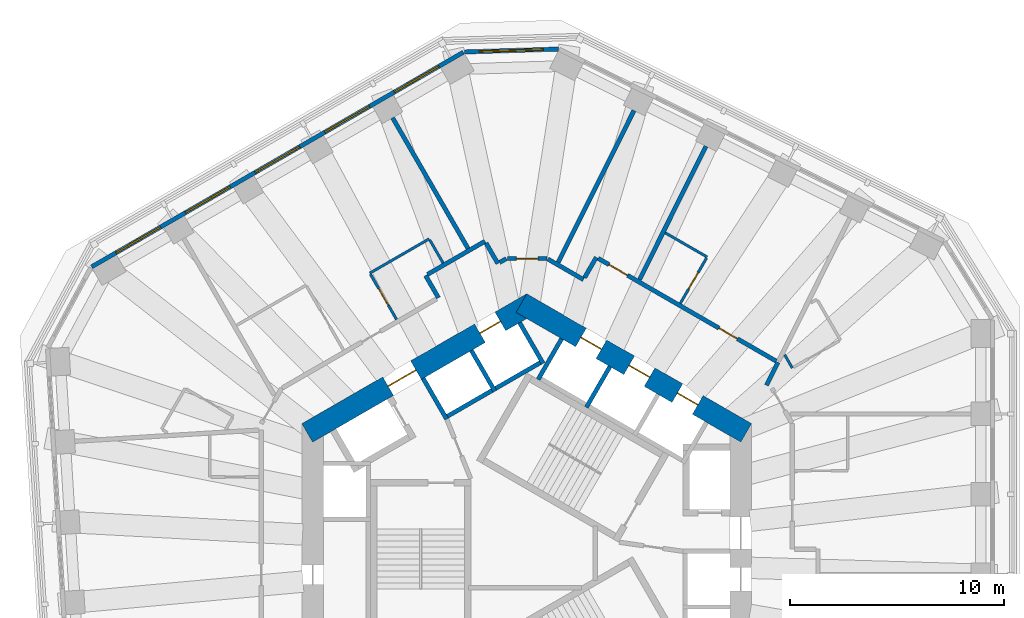
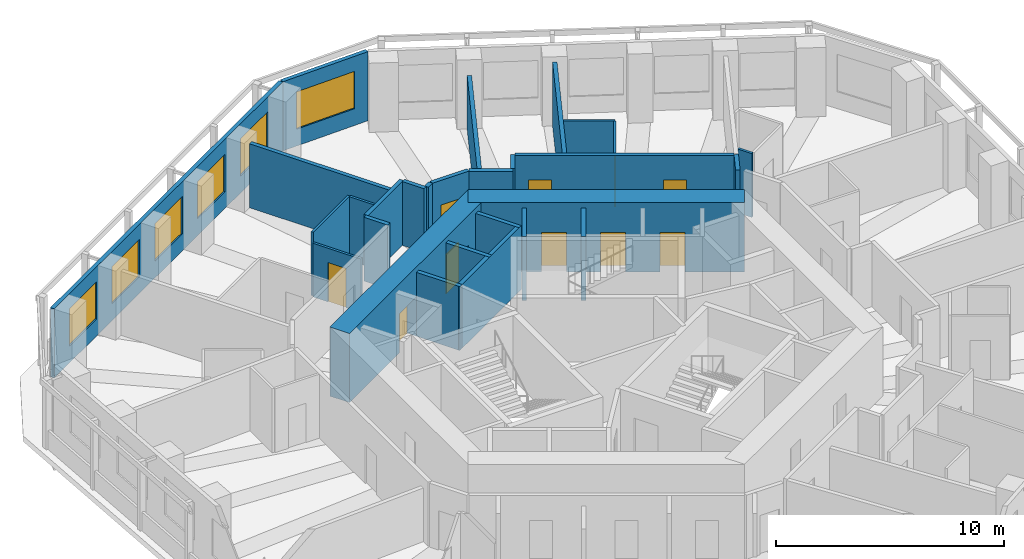
# One storey, part 8 of 12: 28 walls, 10 doors, 6 windows, 16 openings.
"""IFC4 building model written with IfcOpenShell, lengths in metres."""

import ifcopenshell
import ifcopenshell.guid

model = None  # the IFC model being written
_history = None  # IfcOwnerHistory: only IFC2X3 demands one
_inside = {}  # id of a spatial element -> (the spatial element, [elements in it])
_under = {}  # id of a project, library or spatial element -> (it, [spatial elements below it])
_declared = {}  # id of a project -> (the project, [libraries it declares])
_typed = {}  # id of a type object -> (the type object, [elements of that type])
_made_of = {}  # id of a material, layer set ... -> (it, [elements and type objects made of it])


def new_model(schema):
    """Start an empty IFC model of exactly this schema.

    Asked for "IFC4X3", IfcOpenShell would pick the latest addendum, in which some entities
    have other attributes; the version numbers below select the first issue.
    IFC2X3 requires an IfcOwnerHistory on every rooted entity: one is made here for all.
    """
    global model, _history
    if schema == "IFC4X3":
        model = ifcopenshell.file(schema_version=(4, 3, 0, 0))
    else:
        model = ifcopenshell.file(schema=schema)
    _inside.clear()
    _under.clear()
    _declared.clear()
    _typed.clear()
    _made_of.clear()
    _history = None
    if model.schema == "IFC2X3":
        org = make("IfcOrganization", Name="unknown")
        user = make(
            "IfcPersonAndOrganization",
            ThePerson=make("IfcPerson", FamilyName="unknown"),
            TheOrganization=org,
        )
        app = make(
            "IfcApplication",
            ApplicationDeveloper=org,
            Version="unknown",
            ApplicationFullName="unknown",
            ApplicationIdentifier="unknown",
        )
        _history = make(
            "IfcOwnerHistory",
            OwningUser=user,
            OwningApplication=app,
            ChangeAction="ADDED",
            CreationDate=0,
        )
    return model


def make(cls, **values):
    """One entity of the class cls with the attributes given. An attribute that is None is left unset."""
    return model.create_entity(
        cls, **{name: value for name, value in values.items() if value is not None}
    )


def rooted(cls, **values):
    """An entity with a GlobalId (a new one), such as an element, a storey or a relation."""
    return make(cls, GlobalId=ifcopenshell.guid.new(), OwnerHistory=_history, **values)


def si_unit(unit_type, name, prefix=None):
    """IfcSIUnit, for example si_unit("LENGTHUNIT", "METRE", prefix="MILLI")."""
    return make("IfcSIUnit", UnitType=unit_type, Prefix=prefix, Name=name)


def assignment(units):
    """IfcUnitAssignment: the units of a project."""
    return None if units is None else make("IfcUnitAssignment", Units=units)


def point(xyz):
    """IfcCartesianPoint."""
    return None if xyz is None else make("IfcCartesianPoint", Coordinates=xyz)


def direction(xyz):
    """IfcDirection."""
    return None if xyz is None else make("IfcDirection", DirectionRatios=xyz)


def frame(location, z_axis=None, x_axis=None):
    """IfcAxis2Placement3D, a coordinate frame: its origin and axes. An axis left out is left unset."""
    return make(
        "IfcAxis2Placement3D",
        Location=point(location),
        Axis=direction(z_axis),
        RefDirection=direction(x_axis),
    )


def frame_2d(location, x_axis=None):
    """IfcAxis2Placement2D, a coordinate frame in the plane: its origin and x axis."""
    return make(
        "IfcAxis2Placement2D", Location=point(location), RefDirection=direction(x_axis)
    )


def origin():
    """The frame at (0, 0, 0) with its axes left unset."""
    return frame((0.0, 0.0, 0.0))


def place(relative_to, where):
    """IfcLocalPlacement: puts the frame where relative to a parent placement (None: the world)."""
    return make(
        "IfcLocalPlacement", PlacementRelTo=relative_to, RelativePlacement=where
    )


def context(
    kind, dimensions, precision=None, world=None, true_north=None, identifier=None
):
    """IfcGeometricRepresentationContext, for example the 3D "Model" context."""
    return make(
        "IfcGeometricRepresentationContext",
        ContextIdentifier=identifier,
        ContextType=kind,
        CoordinateSpaceDimension=dimensions,
        Precision=precision,
        WorldCoordinateSystem=world,
        TrueNorth=true_north,
    )


def subcontext(parent, identifier, kind, view, scale=None):
    """IfcGeometricRepresentationSubContext, for example "Body" below "Model"."""
    return make(
        "IfcGeometricRepresentationSubContext",
        ContextIdentifier=identifier,
        ContextType=kind,
        ParentContext=parent,
        TargetScale=scale,
        TargetView=view,
    )


def project(units=None, contexts=None):
    """IfcProject with its units and contexts."""
    return rooted(
        "IfcProject",
        Name="project",
        RepresentationContexts=contexts,
        UnitsInContext=assignment(units),
    )


def spatial(cls, under=None, at=None, **own):
    """A site, building, storey or space (cls), placed at a placement, below another one or the project."""
    s = rooted(cls, ObjectPlacement=at, **own)
    if under is not None:
        _under.setdefault(under.id(), (under, []))[1].append(s)
    return s


def profile(cls, at=None, kind="AREA", **sizes):
    """A parametric profile (cls). Its sizes go by their IFC names, for example OverallWidth=200.0."""
    return make(cls, ProfileType=kind, Position=at, **sizes)


def rectangle(**sizes):
    """IfcRectangleProfileDef."""
    return profile("IfcRectangleProfileDef", **sizes)


def extrude(swept, where, along, depth):
    """IfcExtrudedAreaSolid: the profile swept, set in the frame where, extruded along a direction by depth."""
    return make(
        "IfcExtrudedAreaSolid",
        SweptArea=swept,
        Position=where,
        ExtrudedDirection=direction(along),
        Depth=depth,
    )


def shape(context_of_items, identifier, shape_type, items):
    """IfcShapeRepresentation: the items that make up one representation, for example the "Body"."""
    return make(
        "IfcShapeRepresentation",
        ContextOfItems=context_of_items,
        RepresentationIdentifier=identifier,
        RepresentationType=shape_type,
        Items=items,
    )


def material(Name=None, Category=None):
    """IfcMaterial."""
    return make("IfcMaterial", Name=Name, Category=Category)


def layer(
    of_material, thickness, ventilated=None, Name=None, Category=None, Priority=None
):
    """IfcMaterialLayer: one layer of a wall or slab, of a material (None: an air gap)."""
    return make(
        "IfcMaterialLayer",
        Material=of_material,
        LayerThickness=thickness,
        IsVentilated=ventilated,
        Name=Name,
        Category=Category,
        Priority=Priority,
    )


def layer_set(layers, Name=None):
    """IfcMaterialLayerSet."""
    return make("IfcMaterialLayerSet", MaterialLayers=layers, LayerSetName=Name)


def made_of(thing, what):
    """Note that an element or type object is made of a material, layer set ...; save() writes the relation."""
    if what is not None:
        _made_of.setdefault(what.id(), (what, []))[1].append(thing)
    return thing


def type_object(cls, material=None, **own):
    """A type object (cls), such as IfcWallType, which elements share."""
    return made_of(rooted(cls, **own), material)


def element(
    cls,
    number,
    at=None,
    inside=None,
    cuts=None,
    type_object=None,
    material=None,
    context=None,
    identifier="Body",
    shape_type=None,
    held_by="IfcProductDefinitionShape",
    body=None,
    shapes=None,
    **own,
):
    """One element of the class cls, such as IfcWall. Its Tag is "e" and its number.

    at: its placement. inside: the storey or other place that contains it. cuts: it is an
    opening in that element (IfcRelVoidsElement). A single representation is given by context,
    identifier, shape_type and body (its items); several are given by shapes. held_by: the class
    of the entity that holds the representations. save() writes the other relations.
    """
    e = rooted(cls, Tag="e%d" % number, ObjectPlacement=at, **own)
    if body is not None:
        shapes = [shape(context, identifier, shape_type, body)]
    if shapes is not None:
        e.Representation = make(held_by, Representations=shapes)
    if inside is not None:
        _inside.setdefault(inside.id(), (inside, []))[1].append(e)
    if cuts is not None:
        rooted(
            "IfcRelVoidsElement", RelatingBuildingElement=cuts, RelatedOpeningElement=e
        )
    if type_object is not None:
        _typed.setdefault(type_object.id(), (type_object, []))[1].append(e)
    return made_of(e, material)


def fill(opening, filler):
    """IfcRelFillsElement: the door or window that sits in an opening."""
    return rooted(
        "IfcRelFillsElement",
        RelatingOpeningElement=opening,
        RelatedBuildingElement=filler,
    )


def aggregate(whole, parts):
    """IfcRelAggregates: a whole, such as a stair, and the parts it consists of."""
    return rooted("IfcRelAggregates", RelatingObject=whole, RelatedObjects=parts)


def save(model, path):
    """Write the relations noted so far, then the file.

    IfcRelAggregates (storeys below a building ...), IfcRelContainedInSpatialStructure (elements
    in a storey), IfcRelDefinesByType, IfcRelAssociatesMaterial and IfcRelDeclares: one each for
    every whole, place, type object, material and project.
    """
    for whole, parts in _under.values():
        aggregate(whole, parts)
    for where, things in _inside.values():
        rooted(
            "IfcRelContainedInSpatialStructure",
            RelatedElements=things,
            RelatingStructure=where,
        )
    for kind, things in _typed.values():
        rooted("IfcRelDefinesByType", RelatedObjects=things, RelatingType=kind)
    for what, things in _made_of.values():
        rooted("IfcRelAssociatesMaterial", RelatedObjects=things, RelatingMaterial=what)
    for by, libraries in _declared.values():
        rooted("IfcRelDeclares", RelatingContext=by, RelatedDefinitions=libraries)
    model.write(path)


model = new_model("IFC4")

# Units and contexts
model_context = context("Model", 3, precision=1e-05, world=origin(), true_north=direction((0.0, 1.0)))
body_context = subcontext(model_context, "Body", "Model", "MODEL_VIEW")
ifc_project = project(units=[si_unit("LENGTHUNIT", "METRE"), si_unit("AREAUNIT", "SQUARE_METRE"), si_unit("VOLUMEUNIT", "CUBIC_METRE"), si_unit("PLANEANGLEUNIT", "RADIAN"), si_unit("MASSUNIT", "GRAM", prefix="KILO")], contexts=[model_context])

# Site, building, storey
site_placement = place(None, origin())
site = spatial("IfcSite", under=ifc_project, at=site_placement, CompositionType="ELEMENT")
building_placement = place(site_placement, origin())
building = spatial("IfcBuilding", under=site, at=building_placement, Name="Vanh Sen Convention Tower", CompositionType="ELEMENT")
storey_placement = place(building_placement, frame((0.0, 0.0, 124.39990234375)))
storey = spatial("IfcBuildingStorey", under=building, at=storey_placement, Name="L30", CompositionType="ELEMENT", Elevation=124.39990234375)

# Wall
ifc_material_1 = material(Name="Moisture-resistant gypsum board on steel studs", Category="steel")
ifc_layer_1 = layer(ifc_material_1, 0.1201171875)
ifc_layer_set_1 = layer_set([ifc_layer_1], Name="Moisture-resistant gypsum board on steel studs")
wall_type_1 = type_object("IfcWallType", Name="Bathroom partition 120", PredefinedType="PARTITIONING", material=ifc_layer_set_1)
wall_1_placement = place(storey_placement, frame((-7.32763671875, 13.08984375, 0.0), z_axis=(0.0, 0.0, 1.0), x_axis=(0.866008981251, 0.500028443584, 0.0)))
element("IfcWall", 1, at=wall_1_placement, inside=storey, type_object=wall_type_1, Name="Bathroom partition 120", PredefinedType="PARTITIONING", context=body_context, shape_type="SweptSolid", body=[
    extrude(rectangle(XDim=3.199951171875, YDim=0.1201171875, at=frame_2d((1.60009765625, 0.0))), origin(), (0.0, 0.0, 1.0), 3.420166015625),
])

# Wall, opening, door
wall_2_placement = place(storey_placement, frame((-6.07763671875, 10.9248046875, 0.0), z_axis=(0.0, 0.0, 1.0), x_axis=(-0.500002508028, 0.866023955769, 0.0)))
wall_2 = element("IfcWall", 2, at=wall_2_placement, inside=storey, type_object=wall_type_1, Name="Bathroom partition 120", PredefinedType="PARTITIONING", context=body_context, shape_type="SweptSolid", body=[
    extrude(rectangle(XDim=2.43994140625, YDim=0.1201171875, at=frame_2d((1.219970703125, 0.0))), origin(), (0.0, 0.0, 1.0), 2.8701171875),
])
opening_1_placement = place(wall_2_placement, frame((0.77001953125, 0.0, 0.0)))
opening_1 = element("IfcOpeningElement", 3, at=opening_1_placement, cuts=wall_2, Name="Opening D30111", PredefinedType="OPENING", context=body_context, shape_type="SweptSolid", body=[
    extrude(rectangle(XDim=0.89990234375, YDim=2.10009765625, at=frame_2d((0.449951171875, 1.050048828125))), frame((0.0, 0.070068359375, 0.0), z_axis=(0.0, -1.0, 0.0), x_axis=(1.0, 0.0, 0.0)), (0.0, 0.0, 1.0), 0.14013671875),
])
ifc_material_2 = material(Name="Laminate door in steel frame", Category="steel")
door_type_1 = type_object("IfcDoorType", Name="Room internal door 900", OperationType="SINGLE_SWING_LEFT", PredefinedType="DOOR", material=ifc_material_2)
door_1_placement = place(opening_1_placement, origin())
door_1 = element("IfcDoor", 4, at=door_1_placement, inside=storey, type_object=door_type_1, Name="Internal room door D30111", OperationType="SINGLE_SWING_LEFT", OverallHeight=2.10009765625, OverallWidth=0.89990234375, PredefinedType="DOOR", context=body_context, shape_type="SweptSolid", body=[
    extrude(rectangle(XDim=0.89990234375, YDim=2.10009765625, at=frame_2d((0.449951171875, 1.050048828125))), frame((0.0, 0.02490234375, 0.0), z_axis=(0.0, -1.0, 0.0), x_axis=(1.0, 0.0, 0.0)), (0.0, 0.0, 1.0), 0.050048828125),
])
fill(opening_1, door_1)

# Walls
wall_3_placement = place(storey_placement, frame((-4.5263671875, 14.637939453125, 0.0), z_axis=(0.0, 0.0, 1.0), x_axis=(0.499932836684, -0.86606417707, 0.0)))
element("IfcWall", 5, at=wall_3_placement, inside=storey, type_object=wall_type_1, Name="Bathroom partition 120", PredefinedType="PARTITIONING", context=body_context, shape_type="SweptSolid", body=[
    extrude(rectangle(XDim=1.239013671875, YDim=0.1201171875, at=frame_2d((0.61962890625, 0.0))), origin(), (0.0, 0.0, 1.0), 3.420166015625),
])
wall_4_placement = place(storey_placement, frame((6.467529296875, 14.973388671875, 0.0), z_axis=(0.0, 0.0, 1.0), x_axis=(0.865993004593, -0.500056112848, 0.0)))
element("IfcWall", 6, at=wall_4_placement, inside=storey, type_object=wall_type_1, Name="Bathroom partition 120", PredefinedType="PARTITIONING", context=body_context, shape_type="SweptSolid", body=[
    extrude(rectangle(XDim=2.259033203125, YDim=0.1201171875, at=frame_2d((1.12939453125, 0.0))), origin(), (0.0, 0.0, 1.0), 3.420166015625),
])

# Wall, opening, door
wall_5_placement = place(storey_placement, frame((8.393798828125, 13.791748046875, 0.0), z_axis=(0.0, 0.0, 1.0), x_axis=(-0.500002508028, -0.866023955769, 0.0)))
wall_5 = element("IfcWall", 7, at=wall_5_placement, inside=storey, type_object=wall_type_1, Name="Bathroom partition 120", PredefinedType="PARTITIONING", context=body_context, shape_type="SweptSolid", body=[
    extrude(rectangle(XDim=2.43994140625, YDim=0.1201171875, at=frame_2d((1.219970703125, 0.0))), origin(), (0.0, 0.0, 1.0), 3.420166015625),
])
opening_2_placement = place(wall_5_placement, frame((0.77001953125, 0.0, 0.0)))
opening_2 = element("IfcOpeningElement", 8, at=opening_2_placement, cuts=wall_5, Name="Opening D30107", PredefinedType="OPENING", context=body_context, shape_type="SweptSolid", body=[
    extrude(rectangle(XDim=0.89990234375, YDim=2.10009765625, at=frame_2d((0.449951171875, 1.050048828125))), frame((0.0, 0.070068359375, 0.0), z_axis=(0.0, -1.0, 0.0), x_axis=(1.0, 0.0, 0.0)), (0.0, 0.0, 1.0), 0.14013671875),
])
door_2_placement = place(opening_2_placement, origin())
door_2 = element("IfcDoor", 9, at=door_2_placement, inside=storey, type_object=door_type_1, Name="Internal room door D30107", OperationType="SINGLE_SWING_LEFT", OverallHeight=2.10009765625, OverallWidth=0.89990234375, PredefinedType="DOOR", context=body_context, shape_type="SweptSolid", body=[
    extrude(rectangle(XDim=0.89990234375, YDim=2.10009765625, at=frame_2d((0.449951171875, 1.050048828125))), frame((0.0, 0.02490234375, 0.0), z_axis=(0.0, -1.0, 0.0), x_axis=(1.0, 0.0, 0.0)), (0.0, 0.0, 1.0), 0.050048828125),
])
fill(opening_2, door_2)

# Wall
wall_6_placement = place(storey_placement, frame((12.40087890625, 8.66064453125, 0.0), z_axis=(0.0, 0.0, 1.0), x_axis=(-0.499831418649, 0.866122712398, 0.0)))
element("IfcWall", 10, at=wall_6_placement, inside=storey, type_object=wall_type_1, Name="Bathroom partition 120", PredefinedType="PARTITIONING", context=body_context, shape_type="SweptSolid", body=[
    extrude(rectangle(XDim=0.711181640625, YDim=0.1201171875, at=frame_2d((0.35546875, 0.0))), origin(), (0.0, 0.0, 1.0), 3.420166015625),
])

# Wall, openings, doors
ifc_material_3 = material(Name="Concrete C80/95", Category="concrete")
ifc_layer_2 = layer(ifc_material_3, 1.0)
ifc_layer_set_2 = layer_set([ifc_layer_2], Name="Concrete C80/95")
wall_type_2 = type_object("IfcWallType", Name="Core outer wall 1000 C80/95", PredefinedType="SHEAR", material=ifc_layer_set_2)
wall_7_placement = place(storey_placement, frame((10.25, 5.629150390625, 0.0), z_axis=(0.0, 0.0, 1.0), x_axis=(-0.866022616891, 0.50000482701, 0.0)))
wall_7 = element("IfcWall", 11, at=wall_7_placement, inside=storey, type_object=wall_type_2, Name="Core wall face NE L30", PredefinedType="SHEAR", context=body_context, shape_type="SweptSolid", body=[
    extrude(rectangle(XDim=12.12451171875, YDim=1.0, at=frame_2d((6.062255859375, 0.0))), origin(), (0.0, 0.0, 1.0), 3.7001953125),
])
opening_3_placement = place(wall_7_placement, frame((2.6123046875, 0.0, 0.0)))
opening_3 = element("IfcOpeningElement", 12, at=opening_3_placement, cuts=wall_7, Name="Opening LD-LR3", PredefinedType="OPENING", context=body_context, shape_type="SweptSolid", body=[
    extrude(rectangle(XDim=1.10009765625, YDim=2.10009765625, at=frame_2d((0.550048828125, 1.050048828125))), frame((0.0, 0.510009765625, 0.0), z_axis=(0.0, -1.0, 0.0), x_axis=(1.0, 0.0, 0.0)), (0.0, 0.0, 1.0), 1.02001953125),
])
opening_4_placement = place(wall_7_placement, frame((5.212158203125, 0.0, 0.0)))
opening_4 = element("IfcOpeningElement", 13, at=opening_4_placement, cuts=wall_7, Name="Opening LD-LR4", PredefinedType="OPENING", context=body_context, shape_type="SweptSolid", body=[
    extrude(rectangle(XDim=1.10009765625, YDim=2.10009765625, at=frame_2d((0.550048828125, 1.050048828125))), frame((0.0, 0.510009765625, 0.0), z_axis=(0.0, -1.0, 0.0), x_axis=(1.0, 0.0, 0.0)), (0.0, 0.0, 1.0), 1.02001953125),
])
opening_5_placement = place(wall_7_placement, frame((7.812255859375, 0.0, 0.0)))
opening_5 = element("IfcOpeningElement", 14, at=opening_5_placement, cuts=wall_7, Name="Opening LD-LR5", PredefinedType="OPENING", context=body_context, shape_type="SweptSolid", body=[
    extrude(rectangle(XDim=1.10009765625, YDim=2.10009765625, at=frame_2d((0.550048828125, 1.050048828125))), frame((0.0, 0.510009765625, 0.0), z_axis=(0.0, -1.0, 0.0), x_axis=(1.0, 0.0, 0.0)), (0.0, 0.0, 1.0), 1.02001953125),
])
ifc_material_4 = material(Name="Stainless steel", Category="steel")
door_type_2 = type_object("IfcDoorType", Name="Lift landing door 1100", OperationType="DOUBLE_DOOR_SLIDING", PredefinedType="DOOR", material=ifc_material_4)
door_3_placement = place(opening_3_placement, origin())
door_3 = element("IfcDoor", 15, at=door_3_placement, inside=storey, type_object=door_type_2, Name="Lift LR3 landing door LD-LR3", OperationType="DOUBLE_DOOR_SLIDING", OverallHeight=2.10009765625, OverallWidth=1.10009765625, PredefinedType="DOOR", context=body_context, shape_type="SweptSolid", body=[
    extrude(rectangle(XDim=1.10009765625, YDim=2.10009765625, at=frame_2d((0.550048828125, 1.050048828125))), frame((0.0, 0.02490234375, 0.0), z_axis=(0.0, -1.0, 0.0), x_axis=(1.0, 0.0, 0.0)), (0.0, 0.0, 1.0), 0.050048828125),
])
fill(opening_3, door_3)
door_4_placement = place(opening_4_placement, origin())
door_4 = element("IfcDoor", 16, at=door_4_placement, inside=storey, type_object=door_type_2, Name="Lift LR4 landing door LD-LR4", OperationType="DOUBLE_DOOR_SLIDING", OverallHeight=2.10009765625, OverallWidth=1.10009765625, PredefinedType="DOOR", context=body_context, shape_type="SweptSolid", body=[
    extrude(rectangle(XDim=1.10009765625, YDim=2.10009765625, at=frame_2d((0.550048828125, 1.050048828125))), frame((0.0, 0.02490234375, 0.0), z_axis=(0.0, -1.0, 0.0), x_axis=(1.0, 0.0, 0.0)), (0.0, 0.0, 1.0), 0.050048828125),
])
fill(opening_4, door_4)
door_5_placement = place(opening_5_placement, origin())
door_5 = element("IfcDoor", 17, at=door_5_placement, inside=storey, type_object=door_type_2, Name="Lift LR5 landing door LD-LR5", OperationType="DOUBLE_DOOR_SLIDING", OverallHeight=2.10009765625, OverallWidth=1.10009765625, PredefinedType="DOOR", context=body_context, shape_type="SweptSolid", body=[
    extrude(rectangle(XDim=1.10009765625, YDim=2.10009765625, at=frame_2d((0.550048828125, 1.050048828125))), frame((0.0, 0.02490234375, 0.0), z_axis=(0.0, -1.0, 0.0), x_axis=(1.0, 0.0, 0.0)), (0.0, 0.0, 1.0), 0.050048828125),
])
fill(opening_5, door_5)

wall_8_placement = place(storey_placement, frame((0.25, 11.69140625, 0.0), z_axis=(0.0, 0.0, 1.0), x_axis=(-0.866022616891, -0.50000482701, 0.0)))
wall_8 = element("IfcWall", 18, at=wall_8_placement, inside=storey, type_object=wall_type_2, Name="Core wall face NW L30", PredefinedType="SHEAR", context=body_context, shape_type="SweptSolid", body=[
    extrude(rectangle(XDim=12.12451171875, YDim=1.0, at=frame_2d((6.062255859375, 0.0))), origin(), (0.0, 0.0, 1.0), 3.7001953125),
])
opening_6_placement = place(wall_8_placement, frame((6.26220703125, 0.0, 0.0)))
opening_6 = element("IfcOpeningElement", 19, at=opening_6_placement, cuts=wall_8, Name="Opening D30002", PredefinedType="OPENING", context=body_context, shape_type="SweptSolid", body=[
    extrude(rectangle(XDim=1.5, YDim=2.10009765625, at=frame_2d((0.75, 1.050048828125))), frame((0.0, 0.510009765625, 0.0), z_axis=(0.0, -1.0, 0.0), x_axis=(1.0, 0.0, 0.0)), (0.0, 0.0, 1.0), 1.02001953125),
])
opening_7_placement = place(wall_8_placement, frame((1.712158203125, 0.0, 0.0)))
opening_7 = element("IfcOpeningElement", 20, at=opening_7_placement, cuts=wall_8, Name="Opening LD-LR6", PredefinedType="OPENING", context=body_context, shape_type="SweptSolid", body=[
    extrude(rectangle(XDim=1.10009765625, YDim=2.10009765625, at=frame_2d((0.550048828125, 1.050048828125))), frame((0.0, 0.510009765625, 0.0), z_axis=(0.0, -1.0, 0.0), x_axis=(1.0, 0.0, 0.0)), (0.0, 0.0, 1.0), 1.02001953125),
])
door_6_placement = place(opening_7_placement, origin())
door_6 = element("IfcDoor", 21, at=door_6_placement, inside=storey, type_object=door_type_2, Name="Lift LR6 landing door LD-LR6", OperationType="DOUBLE_DOOR_SLIDING", OverallHeight=2.10009765625, OverallWidth=1.10009765625, PredefinedType="DOOR", context=body_context, shape_type="SweptSolid", body=[
    extrude(rectangle(XDim=1.10009765625, YDim=2.10009765625, at=frame_2d((0.550048828125, 1.050048828125))), frame((0.0, 0.02490234375, 0.0), z_axis=(0.0, -1.0, 0.0), x_axis=(1.0, 0.0, 0.0)), (0.0, 0.0, 1.0), 0.050048828125),
])
fill(opening_7, door_6)
ifc_material_5 = material(Name="Steel S355", Category="steel")
door_type_3 = type_object("IfcDoorType", Name="Stair lobby door 1500", OperationType="DOUBLE_DOOR_SINGLE_SWING", PredefinedType="DOOR", material=ifc_material_5)
door_7_placement = place(opening_6_placement, origin())
door_7 = element("IfcDoor", 22, at=door_7_placement, inside=storey, type_object=door_type_3, Name="Stair lobby door D30002", OperationType="DOUBLE_DOOR_SINGLE_SWING", OverallHeight=2.10009765625, OverallWidth=1.5, PredefinedType="DOOR", context=body_context, shape_type="SweptSolid", body=[
    extrude(rectangle(XDim=1.5, YDim=2.10009765625, at=frame_2d((0.75, 1.050048828125))), frame((0.0, 0.02490234375, 0.0), z_axis=(0.0, -1.0, 0.0), x_axis=(1.0, 0.0, 0.0)), (0.0, 0.0, 1.0), 0.050048828125),
])
fill(opening_6, door_7)

# Walls
ifc_material_6 = material(Name="Gypsum board on steel studs with mineral wool", Category="steel")
ifc_layer_3 = layer(ifc_material_6, 0.199951171875)
ifc_layer_set_3 = layer_set([ifc_layer_3], Name="Gypsum board on steel studs with mineral wool")
wall_type_3 = type_object("IfcWallType", Name="Corridor partition wall 200", PredefinedType="PARTITIONING", material=ifc_layer_set_3)
wall_9_placement = place(storey_placement, frame((-4.722900390625, 12.978271484375, 0.0), z_axis=(0.0, 0.0, 1.0), x_axis=(0.500074377092, -0.865982457891, 0.0)))
element("IfcWall", 23, at=wall_9_placement, inside=storey, type_object=wall_type_3, Name="Corridor partition wall 200", PredefinedType="PARTITIONING", context=body_context, shape_type="SweptSolid", body=[
    extrude(rectangle(XDim=1.200927734375, YDim=0.199951171875, at=frame_2d((0.6005859375, 0.0))), origin(), (0.0, 0.0, 1.0), 3.420166015625),
])
wall_10_placement = place(storey_placement, frame((-1.949951171875, 14.579345703125, 0.0), z_axis=(0.0, 0.0, 1.0), x_axis=(-0.866011260204, -0.500024496599, 0.0)))
element("IfcWall", 24, at=wall_10_placement, inside=storey, type_object=wall_type_3, Name="Corridor partition wall 200", PredefinedType="PARTITIONING", context=body_context, shape_type="SweptSolid", body=[
    extrude(rectangle(XDim=3.101806640625, YDim=0.199951171875, at=frame_2d((1.55078125, 0.0))), origin(), (0.0, 0.0, 1.0), 3.420166015625),
])
wall_11_placement = place(storey_placement, frame((-1.349365234375, 13.539306640625, 0.0), z_axis=(0.0, 0.0, 1.0), x_axis=(-0.500074377092, 0.865982457891, 0.0)))
element("IfcWall", 25, at=wall_11_placement, inside=storey, type_object=wall_type_3, Name="Corridor partition wall 200", PredefinedType="PARTITIONING", context=body_context, shape_type="SweptSolid", body=[
    extrude(rectangle(XDim=1.100830078125, YDim=0.199951171875, at=frame_2d((0.55029296875, 0.0))), origin(), (0.0, 0.0, 1.0), 3.420166015625),
])
wall_12_placement = place(storey_placement, frame((-0.949951171875, 13.769775390625, 0.0), z_axis=(0.0, 0.0, 1.0), x_axis=(-0.865904111586, -0.500210025428, 0.0)))
element("IfcWall", 26, at=wall_12_placement, inside=storey, type_object=wall_type_3, Name="Corridor partition wall 200", PredefinedType="PARTITIONING", context=body_context, shape_type="SweptSolid", body=[
    extrude(rectangle(XDim=0.361083984375, YDim=0.199951171875, at=frame_2d((0.1806640625, 0.0))), origin(), (0.0, 0.0, 1.0), 3.420166015625),
])

# Wall, opening, door
wall_13_placement = place(storey_placement, frame((0.949951171875, 13.769775390625, 0.0), z_axis=(0.0, 0.0, 1.0), x_axis=(-1.0, 0.0, 0.0)))
wall_13 = element("IfcWall", 27, at=wall_13_placement, inside=storey, type_object=wall_type_3, Name="Corridor partition wall 200", PredefinedType="PARTITIONING", context=body_context, shape_type="SweptSolid", body=[
    extrude(rectangle(XDim=1.85986328125, YDim=0.199951171875, at=frame_2d((0.929931640625, 0.0))), origin(), (0.0, 0.0, 1.0), 3.420166015625),
])
opening_8_placement = place(wall_13_placement, frame((0.429931640625, 0.0, 0.0)))
opening_8 = element("IfcOpeningElement", 28, at=opening_8_placement, cuts=wall_13, Name="Opening D30109", PredefinedType="OPENING", context=body_context, shape_type="SweptSolid", body=[
    extrude(rectangle(XDim=1.0, YDim=2.10009765625, at=frame_2d((0.5, 1.050048828125))), frame((0.0, 0.10986328125, 0.0), z_axis=(0.0, -1.0, 0.0), x_axis=(1.0, 0.0, 0.0)), (0.0, 0.0, 1.0), 0.219970703125),
])
ifc_material_7 = material(Name="Glazed fire door in steel frame", Category="steel")
door_type_4 = type_object("IfcDoorType", Name="Tenant entrance door 1000", OperationType="SINGLE_SWING_LEFT", PredefinedType="DOOR", material=ifc_material_7)
door_8_placement = place(opening_8_placement, origin())
door_8 = element("IfcDoor", 29, at=door_8_placement, inside=storey, type_object=door_type_4, Name="Tenant suite entrance door D30109", OperationType="SINGLE_SWING_LEFT", OverallHeight=2.10009765625, OverallWidth=1.0, PredefinedType="DOOR", context=body_context, shape_type="SweptSolid", body=[
    extrude(rectangle(XDim=1.0, YDim=2.10009765625, at=frame_2d((0.5, 1.050048828125))), frame((0.0, 0.02490234375, 0.0), z_axis=(0.0, -1.0, 0.0), x_axis=(1.0, 0.0, 0.0)), (0.0, 0.0, 1.0), 0.050048828125),
])
fill(opening_8, door_8)

# Walls
wall_14_placement = place(storey_placement, frame((2.6484375, 12.789306640625, 0.0), z_axis=(0.0, 0.0, 1.0), x_axis=(-0.8660607342, 0.499938800931, 0.0)))
element("IfcWall", 30, at=wall_14_placement, inside=storey, type_object=wall_type_3, Name="Corridor partition wall 200", PredefinedType="PARTITIONING", context=body_context, shape_type="SweptSolid", body=[
    extrude(rectangle(XDim=1.921142578125, YDim=0.199951171875, at=frame_2d((0.96044921875, 0.0))), origin(), (0.0, 0.0, 1.0), 3.420166015625),
])
wall_15_placement = place(storey_placement, frame((3.248779296875, 13.829345703125, 0.0), z_axis=(0.0, 0.0, 1.0), x_axis=(-0.499812034598, -0.866133898465, 0.0)))
element("IfcWall", 31, at=wall_15_placement, inside=storey, type_object=wall_type_3, Name="Corridor partition wall 200", PredefinedType="PARTITIONING", context=body_context, shape_type="SweptSolid", body=[
    extrude(rectangle(XDim=1.10107421875, YDim=0.199951171875, at=frame_2d((0.550537109375, 0.0))), origin(), (0.0, 0.0, 1.0), 3.420166015625),
])
wall_16_placement = place(storey_placement, frame((11.1962890625, 7.85400390625, 0.0), z_axis=(0.0, 0.0, 1.0), x_axis=(0.446241040303, 0.894912808015, 0.0)))
element("IfcWall", 32, at=wall_16_placement, inside=storey, type_object=wall_type_3, Name="Corridor partition wall 200", PredefinedType="PARTITIONING", context=body_context, shape_type="SweptSolid", body=[
    extrude(rectangle(XDim=1.205322265625, YDim=0.199951171875, at=frame_2d((0.6025390625, 0.0))), origin(), (0.0, 0.0, 1.0), 3.420166015625),
])

# Wall, openings, doors
wall_17_placement = place(storey_placement, frame((11.646484375, 8.98095703125, 0.0), z_axis=(0.0, 0.0, 1.0), x_axis=(-0.866027142779, 0.499996987961, 0.0)))
wall_17 = element("IfcWall", 33, at=wall_17_placement, inside=storey, type_object=wall_type_3, Name="Corridor partition wall 200", PredefinedType="PARTITIONING", context=body_context, shape_type="SweptSolid", body=[
    extrude(rectangle(XDim=9.5966796875, YDim=0.199951171875, at=frame_2d((4.79833984375, 0.0))), origin(), (0.0, 0.0, 1.0), 3.420166015625),
])
opening_9_placement = place(wall_17_placement, frame((2.086181640625, 0.0, 0.0)))
opening_9 = element("IfcOpeningElement", 34, at=opening_9_placement, cuts=wall_17, Name="Opening D30106", PredefinedType="OPENING", context=body_context, shape_type="SweptSolid", body=[
    extrude(rectangle(XDim=1.0, YDim=2.10009765625, at=frame_2d((0.5, 1.050048828125))), frame((0.0, 0.10986328125, 0.0), z_axis=(0.0, -1.0, 0.0), x_axis=(1.0, 0.0, 0.0)), (0.0, 0.0, 1.0), 0.219970703125),
])
opening_10_placement = place(wall_17_placement, frame((8.009521484375, 0.0, 0.0)))
opening_10 = element("IfcOpeningElement", 35, at=opening_10_placement, cuts=wall_17, Name="Opening D30108", PredefinedType="OPENING", context=body_context, shape_type="SweptSolid", body=[
    extrude(rectangle(XDim=1.0, YDim=2.10009765625, at=frame_2d((0.5, 1.050048828125))), frame((0.0, 0.10986328125, 0.0), z_axis=(0.0, -1.0, 0.0), x_axis=(1.0, 0.0, 0.0)), (0.0, 0.0, 1.0), 0.219970703125),
])
door_9_placement = place(opening_9_placement, origin())
door_9 = element("IfcDoor", 36, at=door_9_placement, inside=storey, type_object=door_type_4, Name="Tenant suite entrance door D30106", OperationType="SINGLE_SWING_LEFT", OverallHeight=2.10009765625, OverallWidth=1.0, PredefinedType="DOOR", context=body_context, shape_type="SweptSolid", body=[
    extrude(rectangle(XDim=1.0, YDim=2.10009765625, at=frame_2d((0.5, 1.050048828125))), frame((0.0, 0.02490234375, 0.0), z_axis=(0.0, -1.0, 0.0), x_axis=(1.0, 0.0, 0.0)), (0.0, 0.0, 1.0), 0.050048828125),
])
fill(opening_9, door_9)
door_10_placement = place(opening_10_placement, origin())
door_10 = element("IfcDoor", 37, at=door_10_placement, inside=storey, type_object=door_type_4, Name="Tenant suite entrance door D30108", OperationType="SINGLE_SWING_LEFT", OverallHeight=2.10009765625, OverallWidth=1.0, PredefinedType="DOOR", context=body_context, shape_type="SweptSolid", body=[
    extrude(rectangle(XDim=1.0, YDim=2.10009765625, at=frame_2d((0.5, 1.050048828125))), frame((0.0, 0.02490234375, 0.0), z_axis=(0.0, -1.0, 0.0), x_axis=(1.0, 0.0, 0.0)), (0.0, 0.0, 1.0), 0.050048828125),
])
fill(opening_10, door_10)

# Wall, opening, window
ifc_material_8 = material(Name="Insulated lightweight infill wall")
ifc_layer_4 = layer(ifc_material_8, 0.199951171875)
ifc_layer_set_4 = layer_set([ifc_layer_4], Name="Insulated lightweight infill wall")
wall_type_4 = type_object("IfcWallType", Name="External wall 200", PredefinedType="STANDARD", material=ifc_layer_set_4)
wall_18_placement = place(storey_placement, frame((1.478759765625, 23.552734375, 0.0), z_axis=(0.0, 0.0, 1.0), x_axis=(-0.999534786117, -0.03049936625, 0.0)))
wall_18 = element("IfcWall", 38, at=wall_18_placement, inside=storey, type_object=wall_type_4, Name="External wall CH2 L30", PredefinedType="STANDARD", context=body_context, shape_type="SweptSolid", body=[
    extrude(rectangle(XDim=4.39453125, YDim=0.199951171875, at=frame_2d((2.197265625, 0.0))), origin(), (0.0, 0.0, 1.0), 3.7001953125),
])
opening_11_placement = place(wall_18_placement, frame((0.697509765625, 0.0, 0.89990234375)))
opening_11 = element("IfcOpeningElement", 39, at=opening_11_placement, cuts=wall_18, Name="Opening WO2-CH21", PredefinedType="OPENING", context=body_context, shape_type="SweptSolid", body=[
    extrude(rectangle(XDim=3.0, YDim=2.0, at=frame_2d((1.5, 1.0))), frame((0.0, 0.10986328125, 0.0), z_axis=(0.0, -1.0, 0.0), x_axis=(1.0, 0.0, 0.0)), (0.0, 0.0, 1.0), 0.219970703125),
])
ifc_material_9 = material(Name="Aluminium frame with clear low-emissivity glass", Category="aluminium")
window_type_1 = type_object("IfcWindowType", Name="Office window 3000 x 2000", PartitioningType="SINGLE_PANEL", PredefinedType="WINDOW", material=ifc_material_9)
window_1_placement = place(opening_11_placement, origin())
window_1 = element("IfcWindow", 40, at=window_1_placement, inside=storey, type_object=window_type_1, Name="Window WO2-CH21", OverallHeight=2.0, OverallWidth=3.0, PartitioningType="SINGLE_PANEL", PredefinedType="WINDOW", context=body_context, shape_type="SweptSolid", body=[
    extrude(rectangle(XDim=3.0, YDim=2.0, at=frame_2d((1.5, 1.0))), frame((0.0, 0.030029296875, 0.0), z_axis=(0.0, -1.0, 0.0), x_axis=(1.0, 0.0, 0.0)), (0.0, 0.0, 1.0), 0.06005859375),
])
fill(opening_11, window_1)

# Wall, openings, windows
wall_19_placement = place(storey_placement, frame((-2.9609375, 23.4052734375, 0.0), z_axis=(0.0, 0.0, 1.0), x_axis=(-0.866023315909, -0.500003616288, 0.0)))
wall_19 = element("IfcWall", 41, at=wall_19_placement, inside=storey, type_object=wall_type_4, Name="External wall NW L30", PredefinedType="STANDARD", context=body_context, shape_type="SweptSolid", body=[
    extrude(rectangle(XDim=20.043701171875, YDim=0.199951171875, at=frame_2d((10.02197265625, 0.0))), origin(), (0.0, 0.0, 1.0), 3.7001953125),
])
opening_12_placement = place(wall_19_placement, frame((1.314453125, 0.0, 0.89990234375)))
opening_12 = element("IfcOpeningElement", 42, at=opening_12_placement, cuts=wall_19, Name="Opening WO1-NW1", PredefinedType="OPENING", context=body_context, shape_type="SweptSolid", body=[
    extrude(rectangle(XDim=2.39990234375, YDim=2.0, at=frame_2d((1.199951171875, 1.0))), frame((0.0, 0.10986328125, 0.0), z_axis=(0.0, -1.0, 0.0), x_axis=(1.0, 0.0, 0.0)), (0.0, 0.0, 1.0), 0.219970703125),
])
opening_13_placement = place(wall_19_placement, frame((5.068603515625, 0.0, 0.89990234375)))
opening_13 = element("IfcOpeningElement", 43, at=opening_13_placement, cuts=wall_19, Name="Opening WO1-NW2", PredefinedType="OPENING", context=body_context, shape_type="SweptSolid", body=[
    extrude(rectangle(XDim=2.39990234375, YDim=2.0, at=frame_2d((1.199951171875, 1.0))), frame((0.0, 0.10986328125, 0.0), z_axis=(0.0, -1.0, 0.0), x_axis=(1.0, 0.0, 0.0)), (0.0, 0.0, 1.0), 0.219970703125),
])
opening_14_placement = place(wall_19_placement, frame((8.82275390625, 0.0, 0.89990234375)))
opening_14 = element("IfcOpeningElement", 44, at=opening_14_placement, cuts=wall_19, Name="Opening WO1-NW3", PredefinedType="OPENING", context=body_context, shape_type="SweptSolid", body=[
    extrude(rectangle(XDim=2.39990234375, YDim=2.0, at=frame_2d((1.199951171875, 1.0))), frame((0.0, 0.10986328125, 0.0), z_axis=(0.0, -1.0, 0.0), x_axis=(1.0, 0.0, 0.0)), (0.0, 0.0, 1.0), 0.219970703125),
])
opening_15_placement = place(wall_19_placement, frame((12.576904296875, 0.0, 0.89990234375)))
opening_15 = element("IfcOpeningElement", 45, at=opening_15_placement, cuts=wall_19, Name="Opening WO1-NW4", PredefinedType="OPENING", context=body_context, shape_type="SweptSolid", body=[
    extrude(rectangle(XDim=2.39990234375, YDim=2.0, at=frame_2d((1.199951171875, 1.0))), frame((0.0, 0.10986328125, 0.0), z_axis=(0.0, -1.0, 0.0), x_axis=(1.0, 0.0, 0.0)), (0.0, 0.0, 1.0), 0.219970703125),
])
opening_16_placement = place(wall_19_placement, frame((16.330810546875, 0.0, 0.89990234375)))
opening_16 = element("IfcOpeningElement", 46, at=opening_16_placement, cuts=wall_19, Name="Opening WO1-NW5", PredefinedType="OPENING", context=body_context, shape_type="SweptSolid", body=[
    extrude(rectangle(XDim=2.39990234375, YDim=2.0, at=frame_2d((1.199951171875, 1.0))), frame((0.0, 0.10986328125, 0.0), z_axis=(0.0, -1.0, 0.0), x_axis=(1.0, 0.0, 0.0)), (0.0, 0.0, 1.0), 0.219970703125),
])
window_type_2 = type_object("IfcWindowType", Name="Office window 2400 x 2000", PartitioningType="SINGLE_PANEL", PredefinedType="WINDOW", material=ifc_material_9)
window_2_placement = place(opening_12_placement, origin())
window_2 = element("IfcWindow", 47, at=window_2_placement, inside=storey, type_object=window_type_2, Name="Window WO1-NW1", OverallHeight=2.0, OverallWidth=2.39990234375, PartitioningType="SINGLE_PANEL", PredefinedType="WINDOW", context=body_context, shape_type="SweptSolid", body=[
    extrude(rectangle(XDim=2.39990234375, YDim=2.0, at=frame_2d((1.199951171875, 1.0))), frame((0.0, 0.030029296875, 0.0), z_axis=(0.0, -1.0, 0.0), x_axis=(1.0, 0.0, 0.0)), (0.0, 0.0, 1.0), 0.06005859375),
])
fill(opening_12, window_2)
window_3_placement = place(opening_13_placement, origin())
window_3 = element("IfcWindow", 48, at=window_3_placement, inside=storey, type_object=window_type_2, Name="Window WO1-NW2", OverallHeight=2.0, OverallWidth=2.39990234375, PartitioningType="SINGLE_PANEL", PredefinedType="WINDOW", context=body_context, shape_type="SweptSolid", body=[
    extrude(rectangle(XDim=2.39990234375, YDim=2.0, at=frame_2d((1.199951171875, 1.0))), frame((0.0, 0.030029296875, 0.0), z_axis=(0.0, -1.0, 0.0), x_axis=(1.0, 0.0, 0.0)), (0.0, 0.0, 1.0), 0.06005859375),
])
fill(opening_13, window_3)
window_4_placement = place(opening_14_placement, origin())
window_4 = element("IfcWindow", 49, at=window_4_placement, inside=storey, type_object=window_type_2, Name="Window WO1-NW3", OverallHeight=2.0, OverallWidth=2.39990234375, PartitioningType="SINGLE_PANEL", PredefinedType="WINDOW", context=body_context, shape_type="SweptSolid", body=[
    extrude(rectangle(XDim=2.39990234375, YDim=2.0, at=frame_2d((1.199951171875, 1.0))), frame((0.0, 0.030029296875, 0.0), z_axis=(0.0, -1.0, 0.0), x_axis=(1.0, 0.0, 0.0)), (0.0, 0.0, 1.0), 0.06005859375),
])
fill(opening_14, window_4)
window_5_placement = place(opening_15_placement, origin())
window_5 = element("IfcWindow", 50, at=window_5_placement, inside=storey, type_object=window_type_2, Name="Window WO1-NW4", OverallHeight=2.0, OverallWidth=2.39990234375, PartitioningType="SINGLE_PANEL", PredefinedType="WINDOW", context=body_context, shape_type="SweptSolid", body=[
    extrude(rectangle(XDim=2.39990234375, YDim=2.0, at=frame_2d((1.199951171875, 1.0))), frame((0.0, 0.030029296875, 0.0), z_axis=(0.0, -1.0, 0.0), x_axis=(1.0, 0.0, 0.0)), (0.0, 0.0, 1.0), 0.06005859375),
])
fill(opening_15, window_5)
window_6_placement = place(opening_16_placement, origin())
window_6 = element("IfcWindow", 51, at=window_6_placement, inside=storey, type_object=window_type_2, Name="Window WO1-NW5", OverallHeight=2.0, OverallWidth=2.39990234375, PartitioningType="SINGLE_PANEL", PredefinedType="WINDOW", context=body_context, shape_type="SweptSolid", body=[
    extrude(rectangle(XDim=2.39990234375, YDim=2.0, at=frame_2d((1.199951171875, 1.0))), frame((0.0, 0.030029296875, 0.0), z_axis=(0.0, -1.0, 0.0), x_axis=(1.0, 0.0, 0.0)), (0.0, 0.0, 1.0), 0.06005859375),
])
fill(opening_16, window_6)

# Walls
ifc_material_10 = material(Name="Concrete C40/50", Category="concrete")
ifc_layer_5 = layer(ifc_material_10, 0.199951171875)
ifc_layer_set_5 = layer_set([ifc_layer_5], Name="Concrete C40/50")
wall_type_5 = type_object("IfcWallType", Name="Lift shaft wall 200", PredefinedType="PARTITIONING", material=ifc_layer_set_5)
for number, where, z_axis, x_axis, name in (
    (52, (2.783935546875, 6.822021484375, 0.0), (0.0, 0.0, 1.0), (0.50002983664, 0.866008176907, 0.0), "Lift shaft wall L30"),
    (53, (0.5322265625, 8.1220703125, 0.0), (0.0, 0.0, 1.0), (0.500077893725, 0.86598042715, 0.0), "Lift shaft wall L30"),
):
    element("IfcWall", number, at=place(storey_placement, frame(where, z_axis=z_axis, x_axis=x_axis)), inside=storey, type_object=wall_type_5, Name=name, PredefinedType="PARTITIONING", context=body_context, shape_type="SweptSolid", body=[
        extrude(rectangle(XDim=2.199951171875, YDim=0.199951171875, at=frame_2d((1.10009765625, 0.0))), origin(), (0.0, 0.0, 1.0), 3.420166015625),
    ])
wall_20_placement = place(storey_placement, frame((0.80322265625, 9.008544921875, 0.0), z_axis=(0.0, 0.0, 1.0), x_axis=(-0.866028230842, -0.499995103361, 0.0)))
element("IfcWall", 54, at=wall_20_placement, inside=storey, type_object=wall_type_5, Name="Lift shaft wall L30", PredefinedType="PARTITIONING", context=body_context, shape_type="SweptSolid", body=[
    extrude(rectangle(XDim=5.39990234375, YDim=0.199951171875, at=frame_2d((2.699951171875, 0.0))), origin(), (0.0, 0.0, 1.0), 3.420166015625),
])
wall_21_placement = place(storey_placement, frame((0.7666015625, 8.8720703125, 0.0), z_axis=(0.0, 0.0, 1.0), x_axis=(-0.499994660107, 0.866028486751, 0.0)))
element("IfcWall", 55, at=wall_21_placement, inside=storey, type_object=wall_type_5, Name="Lift shaft wall L30", PredefinedType="PARTITIONING", context=body_context, shape_type="SweptSolid", body=[
    extrude(rectangle(XDim=2.19970703125, YDim=0.199951171875, at=frame_2d((1.099853515625, 0.0))), origin(), (0.0, 0.0, 1.0), 3.420166015625),
])
for number, where, z_axis, x_axis, name in (
    (56, (-1.48486328125, 7.572021484375, 0.0), (0.0, 0.0, 1.0), (-0.50002983664, 0.866008176907, 0.0), "Lift shaft wall L30"),
    (57, (-3.736572265625, 6.27197265625, 0.0), (0.0, 0.0, 1.0), (-0.50002983664, 0.866008176907, 0.0), "Lift shaft wall L30"),
):
    element("IfcWall", number, at=place(storey_placement, frame(where, z_axis=z_axis, x_axis=x_axis)), inside=storey, type_object=wall_type_5, Name=name, PredefinedType="PARTITIONING", context=body_context, shape_type="SweptSolid", body=[
        extrude(rectangle(XDim=2.199951171875, YDim=0.199951171875, at=frame_2d((1.10009765625, 0.0))), origin(), (0.0, 0.0, 1.0), 3.420166015625),
    ])
ifc_layer_6 = layer(ifc_material_6, 0.199951171875)
ifc_layer_set_6 = layer_set([ifc_layer_6], Name="Gypsum board on steel studs with mineral wool")
wall_type_6 = type_object("IfcWallType", Name="Tenant suite wall 200", PredefinedType="PARTITIONING", material=ifc_layer_set_6)
wall_22_placement = place(storey_placement, frame((-6.26416015625, 20.343505859375, 0.0), z_axis=(0.0, 0.0, 1.0), x_axis=(0.500009260695, -0.866020057054, 0.0)))
element("IfcWall", 58, at=wall_22_placement, inside=storey, type_object=wall_type_6, Name="Tenant suite wall 200", PredefinedType="PARTITIONING", context=body_context, shape_type="SweptSolid", body=[
    extrude(rectangle(XDim=7.049072265625, YDim=0.199951171875, at=frame_2d((3.5244140625, 0.0))), origin(), (0.0, 0.0, 1.0), 3.420166015625),
])
wall_23_placement = place(storey_placement, frame((5.010498046875, 20.68798828125, 0.0), z_axis=(0.0, 0.0, 1.0), x_axis=(-0.446203062394, -0.894931744386, 0.0)))
element("IfcWall", 59, at=wall_23_placement, inside=storey, type_object=wall_type_6, Name="Tenant suite wall 200", PredefinedType="PARTITIONING", context=body_context, shape_type="SweptSolid", body=[
    extrude(rectangle(XDim=7.926513671875, YDim=0.199951171875, at=frame_2d((3.96337890625, 0.0))), origin(), (0.0, 0.0, 1.0), 2.8701171875),
])
wall_24_placement = place(storey_placement, frame((8.3701171875, 19.012939453125, 0.0), z_axis=(0.0, 0.0, 1.0), x_axis=(-0.446187985757, -0.894939261272, 0.0)))
element("IfcWall", 60, at=wall_24_placement, inside=storey, type_object=wall_type_6, Name="Tenant suite wall 200", PredefinedType="PARTITIONING", context=body_context, shape_type="SweptSolid", body=[
    extrude(rectangle(XDim=6.952880859375, YDim=0.199951171875, at=frame_2d((3.4765625, 0.0))), origin(), (0.0, 0.0, 1.0), 3.420166015625),
])

save(model, "model.ifc")
